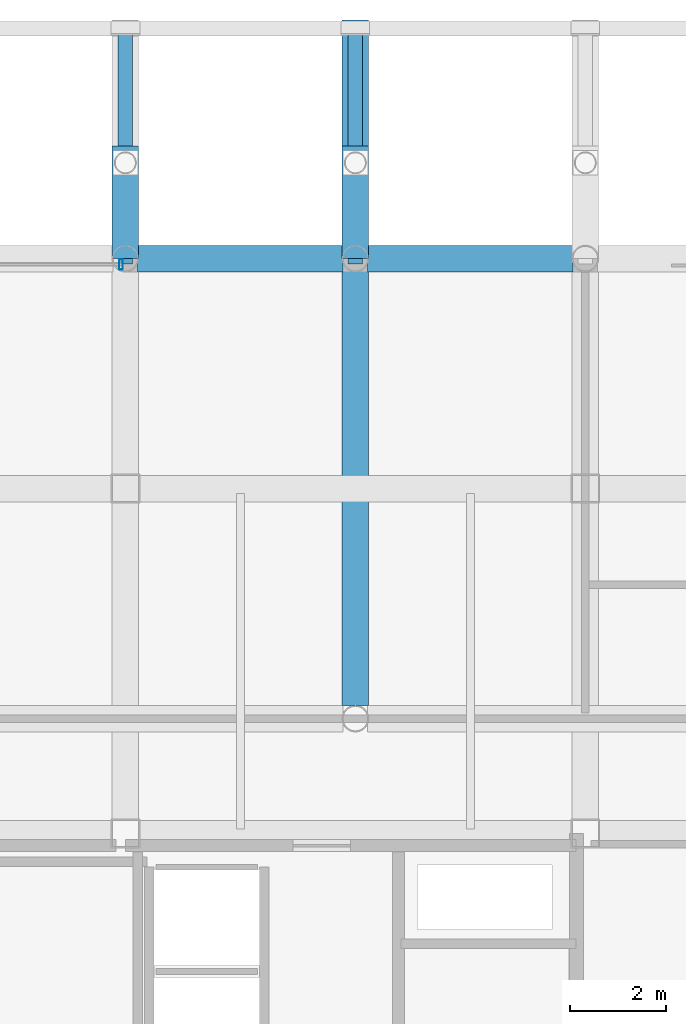
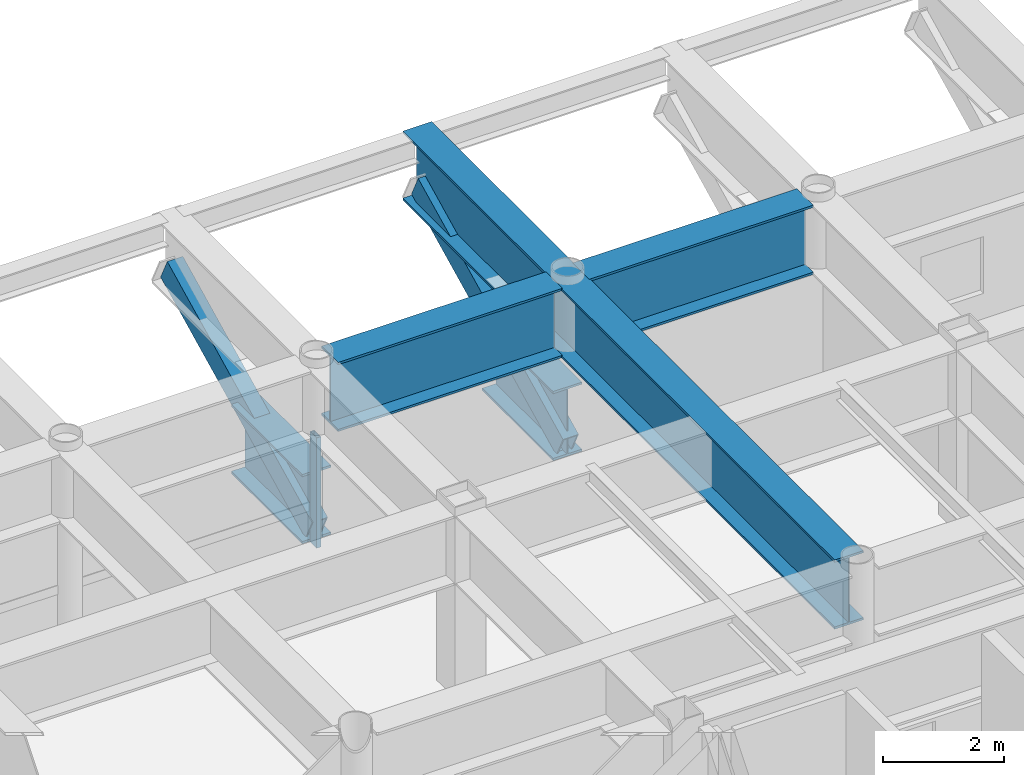
# One storey, part 16 of 24: 5 beams, 3 members, 1 element without a shape of its own.
"""IFC4 building model written with IfcOpenShell, lengths in metres."""

from ifc_helpers import new_model, si_unit, direction, frame, origin, origin_2d, place, context, subcontext, project, spatial, hollow_rectangle, i_section, extrude, material, layer, layer_set, material_profile, profile_set, type_object, element, aggregate, save


model = new_model("IFC4")

# Units and contexts
model_context = context("Model", 3, precision=1e-05, world=origin(), true_north=direction((0.0, 1.0)))
body_context = subcontext(model_context, "Body", "Model", "MODEL_VIEW")
ifc_project = project(units=[si_unit("LENGTHUNIT", "METRE"), si_unit("AREAUNIT", "SQUARE_METRE"), si_unit("VOLUMEUNIT", "CUBIC_METRE"), si_unit("PLANEANGLEUNIT", "RADIAN"), si_unit("MASSUNIT", "GRAM", prefix="KILO")], contexts=[model_context])

# Site, building, storey
site_placement = place(None, origin())
site = spatial("IfcSite", under=ifc_project, at=site_placement, CompositionType="ELEMENT")
building_placement = place(site_placement, origin())
building = spatial("IfcBuilding", under=site, at=building_placement, Name="Kallvorn Hotel Tower", CompositionType="ELEMENT")
storey_placement = place(building_placement, frame((0.0, 0.0, 218.449951171875)))
storey = spatial("IfcBuildingStorey", under=building, at=storey_placement, Name="L54", CompositionType="ELEMENT", Elevation=218.449951171875)

# Beams
ifc_material_1 = material(Name="Structural steel S355JR", Category="steel")
ifc_material_profile_1 = material_profile(ifc_material_1, i_section(OverallWidth=0.550048828125, OverallDepth=1.39990234375, WebThickness=0.02490234375, FlangeThickness=0.044921875, at=origin_2d()), Name="PG 1400x550x25x45")
ifc_profile_set_1 = profile_set([ifc_material_profile_1], Name="Structural steel S355JR")
beam_type = type_object("IfcBeamType", Name="BM_PG_1400", PredefinedType="BEAM", material=ifc_profile_set_1)
beam_1_placement = place(storey_placement, frame((4.800048828125, 19.199951171875, 0.719970703125), z_axis=(0.0, 1.0, 0.0), x_axis=(-1.0, 0.0, 0.0)))
element("IfcBeam", 1, at=beam_1_placement, inside=storey, type_object=beam_type, Name="L55 Cantilever Haunch Corbel 07", PredefinedType="BEAM", context=body_context, shape_type="SweptSolid", body=[
    extrude(i_section(OverallWidth=0.550048828125, OverallDepth=1.39990234375, WebThickness=0.02490234375, FlangeThickness=0.044921875, at=origin_2d()), origin(), (0.0, 0.0, 1.0), 2.35009765625),
])
beam_2_placement = place(storey_placement, frame((9.60009765625, 9.869384765625, 2.969970703125), z_axis=(0.0, 1.0, 0.0), x_axis=(-1.0, 0.0, 0.0)))
element("IfcBeam", 2, at=beam_2_placement, inside=storey, type_object=beam_type, Name="L55 Continuous Cantilever Transfer Girder 08", PredefinedType="BEAM", context=body_context, shape_type="SweptSolid", body=[
    extrude(i_section(OverallWidth=0.550048828125, OverallDepth=1.39990234375, WebThickness=0.02490234375, FlangeThickness=0.044921875, at=origin_2d()), origin(), (0.0, 0.0, 1.0), 14.310546875),
])
beam_3_placement = place(storey_placement, frame((9.60009765625, 19.199951171875, 0.719970703125), z_axis=(0.0, 1.0, 0.0), x_axis=(-1.0, 0.0, 0.0)))
element("IfcBeam", 3, at=beam_3_placement, inside=storey, type_object=beam_type, Name="L55 Cantilever Haunch Corbel 08", PredefinedType="BEAM", context=body_context, shape_type="SweptSolid", body=[
    extrude(i_section(OverallWidth=0.550048828125, OverallDepth=1.39990234375, WebThickness=0.02490234375, FlangeThickness=0.044921875, at=origin_2d()), origin(), (0.0, 0.0, 1.0), 2.35009765625),
])
for number, where, z_axis, x_axis, name in (
    (4, (5.054443359375, 19.199951171875, 2.969970703125), (1.0, 0.0, 0.0), (0.0, 1.0, 0.0), "L55 Primary X-Girder 81"),
    (5, (9.8544921875, 19.199951171875, 2.969970703125), (1.0, 0.0, 0.0), (0.0, 1.0, 0.0), "L55 Primary X-Girder 82"),
):
    element("IfcBeam", number, at=place(storey_placement, frame(where, z_axis=z_axis, x_axis=x_axis)), inside=storey, type_object=beam_type, Name=name, PredefinedType="BEAM", context=body_context, shape_type="SweptSolid", body=[
        extrude(i_section(OverallWidth=0.550048828125, OverallDepth=1.39990234375, WebThickness=0.02490234375, FlangeThickness=0.044921875, at=origin_2d()), origin(), (0.0, 0.0, 1.0), 4.291015625),
    ])

# Curtain wall, member
ifc_material_2 = material(Name="Thermally broken black-anodised aluminium AA 6063-T6", Category="aluminium")
ifc_layer = layer(ifc_material_2, 0.22998046875)
ifc_layer_set = layer_set([ifc_layer], Name="CW_SYS_5_HOTEL_HIGH")
curtain_wall_type = type_object("IfcCurtainWallType", Name="CW_SYS_5_HOTEL_HIGH", PredefinedType="USERDEFINED", material=ifc_layer_set)
curtain_wall_placement = place(storey_placement, origin())
curtain_wall = element("IfcCurtainWall", 6, at=curtain_wall_placement, inside=storey, type_object=curtain_wall_type, Name="L54 Dark-Glass Curtain Wall CW-L54-NC", ObjectType="UNITISED CURTAIN WALL", PredefinedType="USERDEFINED")
ifc_material_3 = material(Name="Thermally broken black-anodised aluminium AA 6063-T6", Category="aluminium")
ifc_material_profile_2 = material_profile(ifc_material_3, hollow_rectangle(XDim=0.080078125, YDim=0.219970703125, WallThickness=0.0048828125, at=origin_2d()), Name="MUL 220x80")
ifc_profile_set_2 = profile_set([ifc_material_profile_2], Name="Thermally broken black-anodised aluminium AA 6063-T6")
member_type_1 = type_object("IfcMemberType", Name="CW_MULLION_220x80", PredefinedType="MULLION", material=ifc_profile_set_2)
member_placement = place(storey_placement, frame((4.7099609375, 19.080078125, 0.02001953125), z_axis=(0.0, 0.0, 1.0), x_axis=(1.0, 0.0, 0.0)))
member = element("IfcMember", 7, at=member_placement, type_object=member_type_1, Name="CW-L54-NC Mullion 02", PredefinedType="MULLION", context=body_context, shape_type="SweptSolid", body=[
    extrude(hollow_rectangle(XDim=0.080078125, YDim=0.219970703125, WallThickness=0.0048828125, at=origin_2d()), origin(), (0.0, 0.0, 1.0), 2.22998046875),
])
aggregate(curtain_wall, [member])

# Members
ifc_material_4 = material(Name="Structural steel S355J2H", Category="steel")
ifc_material_profile_3 = material_profile(ifc_material_4, hollow_rectangle(XDim=0.300048828125, YDim=0.5, WallThickness=0.02490234375, at=origin_2d()), Name="RHS 500x300x25")
ifc_profile_set_3 = profile_set([ifc_material_profile_3], Name="Structural steel S355J2H")
member_type_2 = type_object("IfcMemberType", Name="MBR_OUTRIGGER_RHS500", PredefinedType="BRACE", material=ifc_profile_set_3)
for number, where, z_axis, x_axis, name in (
    (8, (4.800048828125, 19.199951171875, 0.25), (0.0, 0.896650696442, 0.442738668484), (-1.0, 0.0, 0.0), "L55 Exoskeleton Cantilever Raking Strut 07"),
    (9, (9.60009765625, 19.199951171875, 0.25), (0.0, 0.896650696442, 0.442738668484), (-1.0, 0.0, 0.0), "L55 Exoskeleton Cantilever Raking Strut 08"),
):
    element("IfcMember", number, at=place(storey_placement, frame(where, z_axis=z_axis, x_axis=x_axis)), inside=storey, type_object=member_type_2, Name=name, PredefinedType="BRACE", context=body_context, shape_type="SweptSolid", body=[
        extrude(hollow_rectangle(XDim=0.300048828125, YDim=0.5, WallThickness=0.02490234375, at=origin_2d()), origin(), (0.0, 0.0, 1.0), 5.353271484375),
    ])

save(model, "model.ifc")
